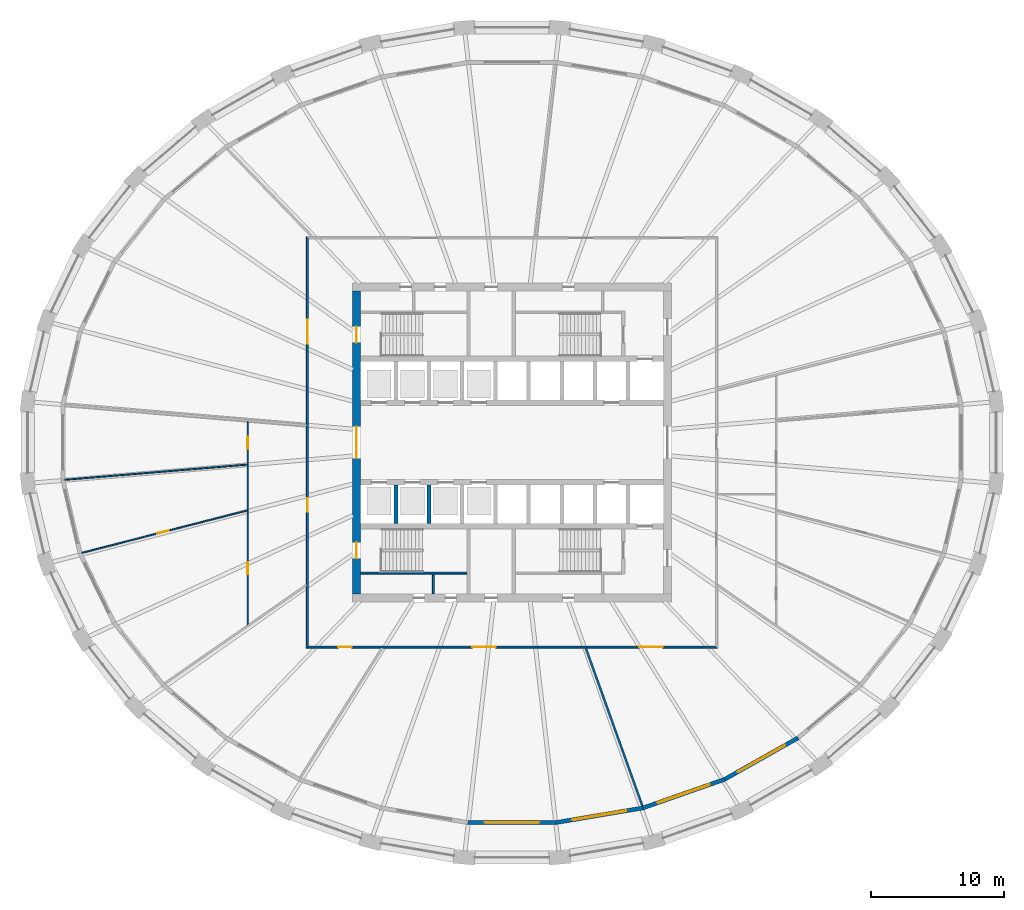
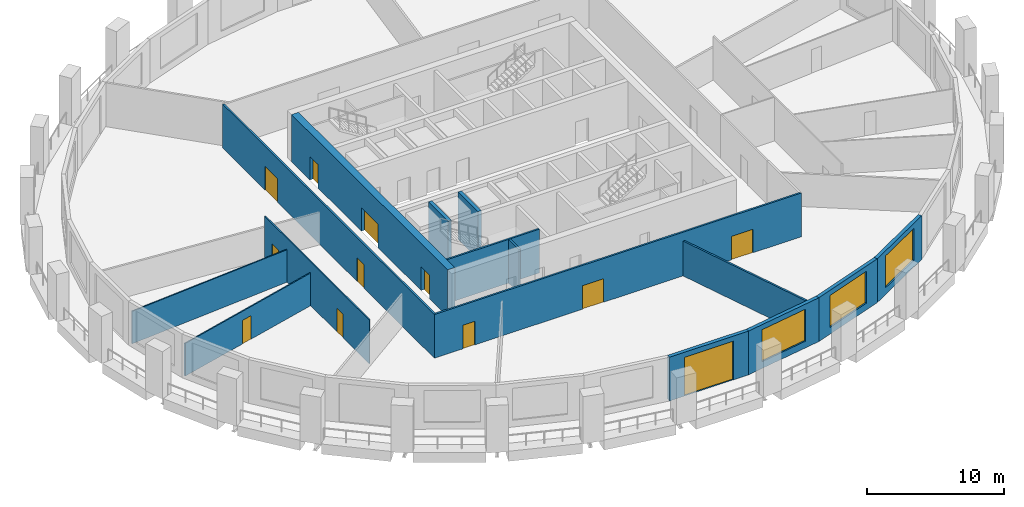
# One storey, part 3 of 11: 15 walls, 12 doors, 3 windows, 15 openings.
"""IFC4 building model written with IfcOpenShell, lengths in metres."""

from ifc_helpers import new_model, si_unit, direction, frame, frame_2d, origin, place, context, subcontext, project, spatial, polyline, rectangle, outline, extrude, material, layer, layer_set, type_object, element, fill, save


model = new_model("IFC4")

# Units and contexts
model_context = context("Model", 3, precision=1e-05, world=origin(), true_north=direction((0.0, 1.0)))
body_context = subcontext(model_context, "Body", "Model", "MODEL_VIEW")
ifc_project = project(units=[si_unit("LENGTHUNIT", "METRE"), si_unit("AREAUNIT", "SQUARE_METRE"), si_unit("VOLUMEUNIT", "CUBIC_METRE"), si_unit("PLANEANGLEUNIT", "RADIAN"), si_unit("MASSUNIT", "GRAM", prefix="KILO")], contexts=[model_context])

# Site, building, storey
site_placement = place(None, origin())
site = spatial("IfcSite", under=ifc_project, at=site_placement, CompositionType="ELEMENT")
building_placement = place(site_placement, origin())
building = spatial("IfcBuilding", under=site, at=building_placement, Name="Halqa Exchange Tower", CompositionType="ELEMENT")
storey_placement = place(building_placement, frame((0.0, 0.0, 78.10009765625)))
storey = spatial("IfcBuildingStorey", under=building, at=storey_placement, Name="L17", CompositionType="ELEMENT", Elevation=78.10009765625)

# Wall, openings, doors
ifc_material_1 = material(Name="Fire-rated gypsum board")
ifc_layer_1 = layer(ifc_material_1, 0.14990234375)
ifc_layer_set_1 = layer_set([ifc_layer_1], Name="Fire-rated gypsum board")
wall_type_1 = type_object("IfcWallType", Name="Fire partition EI 60 150", PredefinedType="PARTITIONING", material=ifc_layer_set_1)
wall_1_placement = place(storey_placement, frame((-15.39990234375, -15.47509765625, 0.0), z_axis=(0.0, 0.0, 1.0), x_axis=(0.0, 1.0, 0.0)))
wall_1 = element("IfcWall", 1, at=wall_1_placement, inside=storey, type_object=wall_type_1, Name="L17-PWL-006", PredefinedType="PARTITIONING", context=body_context, shape_type="SweptSolid", body=[
    extrude(outline(polyline([(0.150146484375, -0.074951171875), (2.065673828125, -0.074951171875), (3.9814453125, -0.074951171875), (5.89697265625, -0.074951171875), (7.8125, -0.074951171875), (9.728271484375, -0.074951171875), (11.643798828125, -0.074951171875), (13.5595703125, -0.074951171875), (15.47509765625, -0.074951171875), (17.390625, -0.074951171875), (19.306396484375, -0.074951171875), (21.221923828125, -0.074951171875), (23.1376953125, -0.074951171875), (25.05322265625, -0.074951171875), (26.96875, -0.074951171875), (28.884521484375, -0.074951171875), (30.800048828125, -0.074951171875), (30.949951171875, 0.074951171875), (29.015625, 0.074951171875), (27.081298828125, 0.074951171875), (25.14697265625, 0.074951171875), (23.21240234375, 0.074951171875), (21.278076171875, 0.074951171875), (19.34375, 0.074951171875), (17.409423828125, 0.074951171875), (15.47509765625, 0.074951171875), (13.540771484375, 0.074951171875), (11.6064453125, 0.074951171875), (9.672119140625, 0.074951171875), (7.73779296875, 0.074951171875), (5.80322265625, 0.074951171875), (3.868896484375, 0.074951171875), (1.9345703125, 0.074951171875), (0.000244140625, 0.074951171875), (0.150146484375, -0.074951171875)])), origin(), (0.0, 0.0, 1.0), 3.89990234375),
])
opening_1_placement = place(wall_1_placement, frame((10.27490234375, 0.0, 0.0)))
opening_1 = element("IfcOpeningElement", 2, at=opening_1_placement, cuts=wall_1, Name="Opening 05-01", PredefinedType="OPENING", context=body_context, shape_type="SweptSolid", body=[
    extrude(rectangle(XDim=1.0, YDim=2.10009765625, at=frame_2d((0.5, 1.050048828125))), frame((0.0, 0.0869140625, 0.0), z_axis=(0.0, -1.0, 0.0), x_axis=(1.0, 0.0, 0.0)), (0.0, 0.0, 1.0), 0.173828125),
])
opening_2_placement = place(wall_1_placement, frame((22.9150390625, 0.0, 0.0)))
opening_2 = element("IfcOpeningElement", 3, at=opening_2_placement, cuts=wall_1, Name="Opening 05-10", PredefinedType="OPENING", context=body_context, shape_type="SweptSolid", body=[
    extrude(rectangle(XDim=1.800048828125, YDim=2.10009765625, at=frame_2d((0.89990234375, 1.050048828125))), frame((0.0, 0.0869140625, 0.0), z_axis=(0.0, -1.0, 0.0), x_axis=(1.0, 0.0, 0.0)), (0.0, 0.0, 1.0), 0.173828125),
])
ifc_material_2 = material(Name="Steel fire door leaf", Category="steel")
door_type_1 = type_object("IfcDoorType", Name="Fire door FD30S 1000 x 2100", OperationType="SINGLE_SWING_LEFT", PredefinedType="DOOR", material=ifc_material_2)
door_1_placement = place(opening_1_placement, origin())
door_1 = element("IfcDoor", 4, at=door_1_placement, inside=storey, type_object=door_type_1, Name="L17-IDR-001", OperationType="SINGLE_SWING_RIGHT", OverallHeight=2.10009765625, OverallWidth=1.0, PredefinedType="DOOR", context=body_context, shape_type="SweptSolid", body=[
    extrude(rectangle(XDim=1.0, YDim=2.10009765625, at=frame_2d((0.5, 1.050048828125))), frame((0.0, 0.02490234375, 0.0), z_axis=(0.0, -1.0, 0.0), x_axis=(1.0, 0.0, 0.0)), (0.0, 0.0, 1.0), 0.050048828125),
])
fill(opening_1, door_1)
door_type_2 = type_object("IfcDoorType", Name="Fire door FD30S double 1800 x 2100", OperationType="DOUBLE_DOOR_SINGLE_SWING", PredefinedType="DOOR", material=ifc_material_2)
door_2_placement = place(opening_2_placement, origin())
door_2 = element("IfcDoor", 5, at=door_2_placement, inside=storey, type_object=door_type_2, Name="L17-IDR-010", OperationType="DOUBLE_DOOR_SINGLE_SWING", OverallHeight=2.10009765625, OverallWidth=1.800048828125, PredefinedType="DOOR", context=body_context, shape_type="SweptSolid", body=[
    extrude(rectangle(XDim=1.800048828125, YDim=2.10009765625, at=frame_2d((0.89990234375, 1.050048828125))), frame((0.0, 0.02490234375, 0.0), z_axis=(0.0, -1.0, 0.0), x_axis=(1.0, 0.0, 0.0)), (0.0, 0.0, 1.0), 0.050048828125),
])
fill(opening_2, door_2)

wall_2_placement = place(storey_placement, frame((-15.47509765625, -15.39990234375, 0.0), z_axis=(0.0, 0.0, 1.0), x_axis=(1.0, 0.0, 0.0)))
wall_2 = element("IfcWall", 6, at=wall_2_placement, inside=storey, type_object=wall_type_1, Name="L17-PWL-007", PredefinedType="PARTITIONING", context=body_context, shape_type="SweptSolid", body=[
    extrude(outline(polyline([(0.000244140625, -0.074951171875), (1.9345703125, -0.074951171875), (3.868896484375, -0.074951171875), (5.80322265625, -0.074951171875), (7.73779296875, -0.074951171875), (9.672119140625, -0.074951171875), (11.6064453125, -0.074951171875), (13.540771484375, -0.074951171875), (15.47509765625, -0.074951171875), (17.409423828125, -0.074951171875), (19.34375, -0.074951171875), (21.278076171875, -0.074951171875), (23.21240234375, -0.074951171875), (25.14697265625, -0.074951171875), (27.081298828125, -0.074951171875), (29.015625, -0.074951171875), (30.949951171875, -0.074951171875), (30.800048828125, 0.074951171875), (28.884521484375, 0.074951171875), (26.96875, 0.074951171875), (25.05322265625, 0.074951171875), (23.1376953125, 0.074951171875), (21.221923828125, 0.074951171875), (19.306396484375, 0.074951171875), (17.390625, 0.074951171875), (15.47509765625, 0.074951171875), (13.5595703125, 0.074951171875), (11.643798828125, 0.074951171875), (9.728271484375, 0.074951171875), (7.8125, 0.074951171875), (5.89697265625, 0.074951171875), (3.9814453125, 0.074951171875), (2.065673828125, 0.074951171875), (0.150146484375, 0.074951171875), (0.000244140625, -0.074951171875)])), origin(), (0.0, 0.0, 1.0), 3.89990234375),
])
opening_3_placement = place(wall_2_placement, frame((2.405029296875, 0.0, 0.0)))
opening_3 = element("IfcOpeningElement", 7, at=opening_3_placement, cuts=wall_2, Name="Opening 05-02", PredefinedType="OPENING", context=body_context, shape_type="SweptSolid", body=[
    extrude(rectangle(XDim=1.0, YDim=2.10009765625, at=frame_2d((0.5, 1.050048828125))), frame((0.0, 0.0869140625, 0.0), z_axis=(0.0, -1.0, 0.0), x_axis=(1.0, 0.0, 0.0)), (0.0, 0.0, 1.0), 0.173828125),
])
opening_4_placement = place(wall_2_placement, frame((12.469970703125, 0.0, 0.0)))
opening_4 = element("IfcOpeningElement", 8, at=opening_4_placement, cuts=wall_2, Name="Opening 05-03", PredefinedType="OPENING", context=body_context, shape_type="SweptSolid", body=[
    extrude(rectangle(XDim=1.800048828125, YDim=2.10009765625, at=frame_2d((0.89990234375, 1.050048828125))), frame((0.0, 0.0869140625, 0.0), z_axis=(0.0, -1.0, 0.0), x_axis=(1.0, 0.0, 0.0)), (0.0, 0.0, 1.0), 0.173828125),
])
opening_5_placement = place(wall_2_placement, frame((25.0400390625, 0.0, 0.0)))
opening_5 = element("IfcOpeningElement", 9, at=opening_5_placement, cuts=wall_2, Name="Opening 05-04", PredefinedType="OPENING", context=body_context, shape_type="SweptSolid", body=[
    extrude(rectangle(XDim=1.800048828125, YDim=2.10009765625, at=frame_2d((0.89990234375, 1.050048828125))), frame((0.0, 0.0869140625, 0.0), z_axis=(0.0, -1.0, 0.0), x_axis=(1.0, 0.0, 0.0)), (0.0, 0.0, 1.0), 0.173828125),
])
door_3_placement = place(opening_3_placement, frame((1.0, 0.0, 0.0), z_axis=(0.0, 0.0, 1.0), x_axis=(-1.0, 0.0, 0.0)))
door_3 = element("IfcDoor", 10, at=door_3_placement, inside=storey, type_object=door_type_1, Name="L17-IDR-002", OperationType="SINGLE_SWING_RIGHT", OverallHeight=2.10009765625, OverallWidth=1.0, PredefinedType="DOOR", context=body_context, shape_type="SweptSolid", body=[
    extrude(rectangle(XDim=1.0, YDim=2.10009765625, at=frame_2d((0.5, 1.050048828125))), frame((0.0, 0.02490234375, 0.0), z_axis=(0.0, -1.0, 0.0), x_axis=(1.0, 0.0, 0.0)), (0.0, 0.0, 1.0), 0.050048828125),
])
fill(opening_3, door_3)
door_4_placement = place(opening_4_placement, frame((1.800048828125, 0.0, 0.0), z_axis=(0.0, 0.0, 1.0), x_axis=(-1.0, 0.0, 0.0)))
door_4 = element("IfcDoor", 11, at=door_4_placement, inside=storey, type_object=door_type_2, Name="L17-IDR-003", OperationType="DOUBLE_DOOR_SINGLE_SWING", OverallHeight=2.10009765625, OverallWidth=1.800048828125, PredefinedType="DOOR", context=body_context, shape_type="SweptSolid", body=[
    extrude(rectangle(XDim=1.800048828125, YDim=2.10009765625, at=frame_2d((0.89990234375, 1.050048828125))), frame((0.0, 0.02490234375, 0.0), z_axis=(0.0, -1.0, 0.0), x_axis=(1.0, 0.0, 0.0)), (0.0, 0.0, 1.0), 0.050048828125),
])
fill(opening_4, door_4)
door_5_placement = place(opening_5_placement, frame((1.800048828125, 0.0, 0.0), z_axis=(0.0, 0.0, 1.0), x_axis=(-1.0, 0.0, 0.0)))
door_5 = element("IfcDoor", 12, at=door_5_placement, inside=storey, type_object=door_type_2, Name="L17-IDR-004", OperationType="DOUBLE_DOOR_SINGLE_SWING", OverallHeight=2.10009765625, OverallWidth=1.800048828125, PredefinedType="DOOR", context=body_context, shape_type="SweptSolid", body=[
    extrude(rectangle(XDim=1.800048828125, YDim=2.10009765625, at=frame_2d((0.89990234375, 1.050048828125))), frame((0.0, 0.02490234375, 0.0), z_axis=(0.0, -1.0, 0.0), x_axis=(1.0, 0.0, 0.0)), (0.0, 0.0, 1.0), 0.050048828125),
])
fill(opening_5, door_5)

# Wall
wall_3_placement = place(storey_placement, frame((5.5478515625, -15.449951171875, 0.0), z_axis=(0.0, 0.0, 1.0), x_axis=(0.337357475529, -0.941376616294, 0.0)))
element("IfcWall", 13, at=wall_3_placement, inside=storey, type_object=wall_type_1, Name="L17-PWL-012", PredefinedType="PARTITIONING", context=body_context, shape_type="SweptSolid", body=[
    extrude(outline(polyline([(0.0, -0.074951171875), (1.806640625, -0.074951171875), (3.61328125, -0.074951171875), (5.419921875, -0.074951171875), (7.226318359375, -0.074951171875), (9.032958984375, -0.074951171875), (10.839599609375, -0.074951171875), (12.646240234375, -0.074951171875), (12.66015625, 0.002197265625), (12.66015625, 0.018310546875), (12.66015625, 0.074951171875), (10.859130859375, 0.074951171875), (9.058349609375, 0.074951171875), (7.25732421875, 0.074951171875), (5.456298828125, 0.074951171875), (3.6552734375, 0.074951171875), (1.8544921875, 0.074951171875), (0.053466796875, 0.074951171875), (0.0, -0.07421875), (0.0, -0.074951171875)])), origin(), (0.0, 0.0, 1.0), 3.10986328125),
])

# Wall, openings, doors
ifc_material_3 = material(Name="Gypsum board")
ifc_layer_2 = layer(ifc_material_3, 0.10009765625)
ifc_layer_set_2 = layer_set([ifc_layer_2], Name="Gypsum board")
wall_type_2 = type_object("IfcWallType", Name="Partition 100 gypsum", PredefinedType="PARTITIONING", material=ifc_layer_set_2)
wall_4_placement = place(storey_placement, frame((-19.89990234375, -13.744384765625, 0.0), z_axis=(0.0, 0.0, 1.0), x_axis=(0.0, 1.0, 0.0)))
wall_4 = element("IfcWall", 14, at=wall_4_placement, inside=storey, type_object=wall_type_2, Name="L17-PWL-003", PredefinedType="PARTITIONING", context=body_context, shape_type="SweptSolid", body=[
    extrude(outline(polyline([(0.069091796875, -0.050048828125), (1.9755859375, -0.050048828125), (3.882080078125, -0.050048828125), (5.788330078125, -0.050048828125), (7.69482421875, -0.050048828125), (9.601318359375, -0.050048828125), (11.5078125, -0.050048828125), (13.4140625, -0.050048828125), (15.320556640625, -0.050048828125), (15.328857421875, 0.04931640625), (15.328857421875, 0.050048828125), (13.6435546875, 0.050048828125), (11.958251953125, 0.050048828125), (10.27294921875, 0.050048828125), (8.587646484375, 0.050048828125), (8.580322265625, 0.048095703125), (8.579833984375, 0.050048828125), (6.864013671875, 0.050048828125), (5.14794921875, 0.050048828125), (3.431884765625, 0.050048828125), (1.716064453125, 0.050048828125), (0.0, 0.050048828125), (0.0, 0.049560546875), (0.069091796875, -0.050048828125)])), origin(), (0.0, 0.0, 1.0), 3.89990234375),
])
opening_6_placement = place(wall_4_placement, frame((3.844482421875, 0.0, 0.0)))
opening_6 = element("IfcOpeningElement", 15, at=opening_6_placement, cuts=wall_4, Name="Opening 05-11", PredefinedType="OPENING", context=body_context, shape_type="SweptSolid", body=[
    extrude(rectangle(XDim=0.89990234375, YDim=2.10009765625, at=frame_2d((0.449951171875, 1.050048828125))), frame((0.0, 0.06201171875, 0.0), z_axis=(0.0, -1.0, 0.0), x_axis=(1.0, 0.0, 0.0)), (0.0, 0.0, 1.0), 0.1240234375),
])
opening_7_placement = place(wall_4_placement, frame((13.29443359375, 0.0, 0.0)))
opening_7 = element("IfcOpeningElement", 16, at=opening_7_placement, cuts=wall_4, Name="Opening 05-12", PredefinedType="OPENING", context=body_context, shape_type="SweptSolid", body=[
    extrude(rectangle(XDim=0.89990234375, YDim=2.10009765625, at=frame_2d((0.449951171875, 1.050048828125))), frame((0.0, 0.06201171875, 0.0), z_axis=(0.0, -1.0, 0.0), x_axis=(1.0, 0.0, 0.0)), (0.0, 0.0, 1.0), 0.1240234375),
])
ifc_material_4 = material(Name="Timber door leaf", Category="wood")
door_type_3 = type_object("IfcDoorType", Name="Door 900 x 2100", OperationType="SINGLE_SWING_LEFT", PredefinedType="DOOR", material=ifc_material_4)
door_6_placement = place(opening_6_placement, frame((0.89990234375, 0.0, 0.0), z_axis=(0.0, 0.0, 1.0), x_axis=(-1.0, 0.0, 0.0)))
door_6 = element("IfcDoor", 17, at=door_6_placement, inside=storey, type_object=door_type_3, Name="L17-IDR-011", OperationType="SINGLE_SWING_LEFT", OverallHeight=2.10009765625, OverallWidth=0.89990234375, PredefinedType="DOOR", context=body_context, shape_type="SweptSolid", body=[
    extrude(rectangle(XDim=0.89990234375, YDim=2.10009765625, at=frame_2d((0.449951171875, 1.050048828125))), frame((0.0, 0.02490234375, 0.0), z_axis=(0.0, -1.0, 0.0), x_axis=(1.0, 0.0, 0.0)), (0.0, 0.0, 1.0), 0.050048828125),
])
fill(opening_6, door_6)
door_7_placement = place(opening_7_placement, frame((0.89990234375, 0.0, 0.0), z_axis=(0.0, 0.0, 1.0), x_axis=(-1.0, 0.0, 0.0)))
door_7 = element("IfcDoor", 18, at=door_7_placement, inside=storey, type_object=door_type_3, Name="L17-IDR-012", OperationType="SINGLE_SWING_RIGHT", OverallHeight=2.10009765625, OverallWidth=0.89990234375, PredefinedType="DOOR", context=body_context, shape_type="SweptSolid", body=[
    extrude(rectangle(XDim=0.89990234375, YDim=2.10009765625, at=frame_2d((0.449951171875, 1.050048828125))), frame((0.0, 0.02490234375, 0.0), z_axis=(0.0, -1.0, 0.0), x_axis=(1.0, 0.0, 0.0)), (0.0, 0.0, 1.0), 0.050048828125),
])
fill(opening_7, door_7)

# Wall, opening, door
wall_5_placement = place(storey_placement, frame((-19.937744140625, -5.109619140625, 0.0), z_axis=(0.0, 0.0, 1.0), x_axis=(-0.96855855203, -0.248785713594, 0.0)))
wall_5 = element("IfcWall", 19, at=wall_5_placement, inside=storey, type_object=wall_type_2, Name="L17-PWL-004", PredefinedType="PARTITIONING", context=body_context, shape_type="SweptSolid", body=[
    extrude(outline(polyline([(12.838623046875, -0.050048828125), (12.838623046875, 0.0048828125), (12.829345703125, 0.050048828125), (11.000244140625, 0.050048828125), (9.171142578125, 0.050048828125), (7.342041015625, 0.050048828125), (5.512939453125, 0.050048828125), (3.683837890625, 0.050048828125), (1.854736328125, 0.050048828125), (0.025390625, 0.050048828125), (0.0, -0.04931640625), (0.0, -0.050048828125), (1.833984375, -0.050048828125), (3.668212890625, -0.050048828125), (5.502197265625, -0.050048828125), (7.33642578125, -0.050048828125), (9.17041015625, -0.050048828125), (11.004638671875, -0.050048828125), (12.838623046875, -0.050048828125)])), origin(), (0.0, 0.0, 1.0), 2.909912109375),
])
opening_8_placement = place(wall_5_placement, frame((6.103271484375, 0.0, 0.0)))
opening_8 = element("IfcOpeningElement", 20, at=opening_8_placement, cuts=wall_5, Name="Opening 05-13", PredefinedType="OPENING", context=body_context, shape_type="SweptSolid", body=[
    extrude(rectangle(XDim=0.89990234375, YDim=2.10009765625, at=frame_2d((0.449951171875, 1.050048828125))), frame((0.0, 0.06201171875, 0.0), z_axis=(0.0, -1.0, 0.0), x_axis=(1.0, 0.0, 0.0)), (0.0, 0.0, 1.0), 0.1240234375),
])
door_8_placement = place(opening_8_placement, frame((0.89990234375, 0.0, 0.0), z_axis=(0.0, 0.0, 1.0), x_axis=(-1.0, 0.0, 0.0)))
door_8 = element("IfcDoor", 21, at=door_8_placement, inside=storey, type_object=door_type_3, Name="L17-IDR-013", OperationType="SINGLE_SWING_RIGHT", OverallHeight=2.10009765625, OverallWidth=0.89990234375, PredefinedType="DOOR", context=body_context, shape_type="SweptSolid", body=[
    extrude(rectangle(XDim=0.89990234375, YDim=2.10009765625, at=frame_2d((0.449951171875, 1.050048828125))), frame((0.0, 0.02490234375, 0.0), z_axis=(0.0, -1.0, 0.0), x_axis=(1.0, 0.0, 0.0)), (0.0, 0.0, 1.0), 0.050048828125),
])
fill(opening_8, door_8)

# Walls
wall_6_placement = place(storey_placement, frame((-19.9462890625, -1.663818359375, 0.0), z_axis=(0.0, 0.0, 1.0), x_axis=(-0.996559566172, -0.082879617945, 0.0)))
element("IfcWall", 22, at=wall_6_placement, inside=storey, type_object=wall_type_2, Name="L17-PWL-005", PredefinedType="PARTITIONING", context=body_context, shape_type="SweptSolid", body=[
    extrude(outline(polyline([(13.765380859375, -0.050048828125), (13.765380859375, 0.0263671875), (13.761962890625, 0.050048828125), (11.797119140625, 0.050048828125), (9.83203125, 0.050048828125), (7.8671875, 0.050048828125), (5.90234375, 0.050048828125), (3.9375, 0.050048828125), (1.97265625, 0.050048828125), (0.0078125, 0.050048828125), (0.0, -0.044677734375), (0.0, -0.050048828125), (1.966552734375, -0.050048828125), (3.932861328125, -0.050048828125), (5.8994140625, -0.050048828125), (7.865966796875, -0.050048828125), (9.83251953125, -0.050048828125), (11.798828125, -0.050048828125), (13.765380859375, -0.050048828125)])), origin(), (0.0, 0.0, 1.0), 2.891845703125),
])
ifc_layer_3 = layer(ifc_material_3, 0.14990234375)
ifc_layer_set_3 = layer_set([ifc_layer_3], Name="Gypsum board")
wall_type_3 = type_object("IfcWallType", Name="Penthouse riser wall 150 gypsum", PredefinedType="PARTITIONING", material=ifc_layer_set_3)
wall_7_placement = place(storey_placement, frame((-5.925048828125, -11.39990234375, 0.0), z_axis=(0.0, 0.0, 1.0), x_axis=(0.0, 1.0, 0.0)))
element("IfcWall", 23, at=wall_7_placement, inside=storey, type_object=wall_type_3, Name="Partition W5.925 S", PredefinedType="PARTITIONING", context=body_context, shape_type="SweptSolid", body=[
    extrude(rectangle(XDim=1.5, YDim=0.14990234375, at=frame_2d((0.75, 0.0))), origin(), (0.0, 0.0, 1.0), 3.89990234375),
])
ifc_material_5 = material(Name="Concrete C60/75", Category="concrete")
ifc_layer_4 = layer(ifc_material_5, 0.300048828125)
ifc_layer_set_4 = layer_set([ifc_layer_4], Name="Concrete C60/75")
wall_type_4 = type_object("IfcWallType", Name="RC core wall 300", PredefinedType="SHEAR", material=ifc_layer_set_4)
for number, where, z_axis, x_axis, name in (
    (24, (-8.75, -6.10009765625, 0.0), (0.0, 0.0, 1.0), (0.0, 1.0, 0.0), "Shaft divider S1"),
    (25, (-6.25, -6.10009765625, 0.0), (0.0, 0.0, 1.0), (0.0, 1.0, 0.0), "Shaft divider S2"),
):
    element("IfcWall", number, at=place(storey_placement, frame(where, z_axis=z_axis, x_axis=x_axis)), inside=storey, type_object=wall_type_4, Name=name, PredefinedType="SHEAR", context=body_context, shape_type="SweptSolid", body=[
        extrude(rectangle(XDim=2.900146484375, YDim=0.300048828125, at=frame_2d((1.4501953125, 0.0))), origin(), (0.0, 0.0, 1.0), 4.199951171875),
    ])

# Wall, openings, doors
ifc_material_6 = material(Name="Concrete C80/95", Category="concrete")
ifc_layer_5 = layer(ifc_material_6, 0.60009765625)
ifc_layer_set_5 = layer_set([ifc_layer_5], Name="Concrete C80/95")
wall_type_5 = type_object("IfcWallType", Name="RC core wall 600 C80/95", PredefinedType="SHEAR", material=ifc_layer_set_5)
wall_8_placement = place(storey_placement, frame((-11.699951171875, -11.39990234375, 0.0), z_axis=(0.0, 0.0, 1.0), x_axis=(0.0, 1.0, 0.0)))
wall_8 = element("IfcWall", 26, at=wall_8_placement, inside=storey, type_object=wall_type_5, Name="Core wall west", PredefinedType="SHEAR", context=body_context, shape_type="SweptSolid", body=[
    extrude(rectangle(XDim=22.7998046875, YDim=0.60009765625, at=frame_2d((11.39990234375, 0.0))), origin(), (0.0, 0.0, 1.0), 4.199951171875),
])
opening_9_placement = place(wall_8_placement, frame((10.199951171875, 0.0, 0.0)))
opening_9 = element("IfcOpeningElement", 27, at=opening_9_placement, cuts=wall_8, Name="Opening T05-C13", PredefinedType="OPENING", context=body_context, shape_type="SweptSolid", body=[
    extrude(rectangle(XDim=2.39990234375, YDim=2.10009765625, at=frame_2d((1.199951171875, 1.050048828125))), frame((0.0, 0.31201171875, 0.0), z_axis=(0.0, -1.0, 0.0), x_axis=(1.0, 0.0, 0.0)), (0.0, 0.0, 1.0), 0.6240234375),
])
opening_10_placement = place(wall_8_placement, frame((18.925048828125, 0.0, 0.0)))
opening_10 = element("IfcOpeningElement", 28, at=opening_10_placement, cuts=wall_8, Name="Opening T05-C15", PredefinedType="OPENING", context=body_context, shape_type="SweptSolid", body=[
    extrude(rectangle(XDim=1.199951171875, YDim=2.10009765625, at=frame_2d((0.60009765625, 1.050048828125))), frame((0.0, 0.31201171875, 0.0), z_axis=(0.0, -1.0, 0.0), x_axis=(1.0, 0.0, 0.0)), (0.0, 0.0, 1.0), 0.6240234375),
])
opening_11_placement = place(wall_8_placement, frame((2.675048828125, 0.0, 0.0)))
opening_11 = element("IfcOpeningElement", 29, at=opening_11_placement, cuts=wall_8, Name="Opening T05-C17", PredefinedType="OPENING", context=body_context, shape_type="SweptSolid", body=[
    extrude(rectangle(XDim=1.199951171875, YDim=2.10009765625, at=frame_2d((0.60009765625, 1.050048828125))), frame((0.0, 0.31201171875, 0.0), z_axis=(0.0, -1.0, 0.0), x_axis=(1.0, 0.0, 0.0)), (0.0, 0.0, 1.0), 0.6240234375),
])
door_type_4 = type_object("IfcDoorType", Name="Lobby double door FD60 2400 x 2100", OperationType="DOUBLE_DOOR_SINGLE_SWING", PredefinedType="DOOR", material=ifc_material_2)
door_9_placement = place(opening_9_placement, frame((2.39990234375, 0.0, 0.0), z_axis=(0.0, 0.0, 1.0), x_axis=(-1.0, 0.0, 0.0)))
door_9 = element("IfcDoor", 30, at=door_9_placement, inside=storey, type_object=door_type_4, Name="Lift lobby double door", OperationType="DOUBLE_DOOR_SINGLE_SWING", OverallHeight=2.10009765625, OverallWidth=2.39990234375, PredefinedType="DOOR", context=body_context, shape_type="SweptSolid", body=[
    extrude(rectangle(XDim=2.39990234375, YDim=2.10009765625, at=frame_2d((1.199951171875, 1.050048828125))), frame((0.0, 0.02490234375, 0.0), z_axis=(0.0, -1.0, 0.0), x_axis=(1.0, 0.0, 0.0)), (0.0, 0.0, 1.0), 0.050048828125),
])
fill(opening_9, door_9)
door_type_5 = type_object("IfcDoorType", Name="Stair door FD90 1200 x 2100", OperationType="SINGLE_SWING_LEFT", PredefinedType="DOOR", material=ifc_material_2)
door_10_placement = place(opening_10_placement, frame((1.199951171875, 0.0, 0.0), z_axis=(0.0, 0.0, 1.0), x_axis=(-1.0, 0.0, 0.0)))
door_10 = element("IfcDoor", 31, at=door_10_placement, inside=storey, type_object=door_type_5, Name="Stair door ST1", OperationType="SINGLE_SWING_LEFT", OverallHeight=2.10009765625, OverallWidth=1.199951171875, PredefinedType="DOOR", context=body_context, shape_type="SweptSolid", body=[
    extrude(rectangle(XDim=1.199951171875, YDim=2.10009765625, at=frame_2d((0.60009765625, 1.050048828125))), frame((0.0, 0.02490234375, 0.0), z_axis=(0.0, -1.0, 0.0), x_axis=(1.0, 0.0, 0.0)), (0.0, 0.0, 1.0), 0.050048828125),
])
fill(opening_10, door_10)
door_11_placement = place(opening_11_placement, frame((1.199951171875, 0.0, 0.0), z_axis=(0.0, 0.0, 1.0), x_axis=(-1.0, 0.0, 0.0)))
door_11 = element("IfcDoor", 32, at=door_11_placement, inside=storey, type_object=door_type_5, Name="Stair door ST3", OperationType="SINGLE_SWING_LEFT", OverallHeight=2.10009765625, OverallWidth=1.199951171875, PredefinedType="DOOR", context=body_context, shape_type="SweptSolid", body=[
    extrude(rectangle(XDim=1.199951171875, YDim=2.10009765625, at=frame_2d((0.60009765625, 1.050048828125))), frame((0.0, 0.02490234375, 0.0), z_axis=(0.0, -1.0, 0.0), x_axis=(1.0, 0.0, 0.0)), (0.0, 0.0, 1.0), 0.050048828125),
])
fill(opening_11, door_11)

# Wall
ifc_material_7 = material(Name="Concrete C30/37", Category="concrete")
ifc_layer_6 = layer(ifc_material_7, 0.14990234375)
ifc_layer_set_6 = layer_set([ifc_layer_6], Name="Concrete C30/37")
wall_type_6 = type_object("IfcWallType", Name="RC stair wall 150 C30/37", PredefinedType="SHEAR", material=ifc_layer_set_6)
wall_9_placement = place(storey_placement, frame((-11.39990234375, -9.824951171875, 0.0), z_axis=(0.0, 0.0, 1.0), x_axis=(1.0, 0.0, 0.0)))
element("IfcWall", 33, at=wall_9_placement, inside=storey, type_object=wall_type_6, Name="Stair ST1 north wall S", PredefinedType="SHEAR", context=body_context, shape_type="SweptSolid", body=[
    extrude(rectangle(XDim=8.0, YDim=0.14990234375, at=frame_2d((4.0, 0.0))), origin(), (0.0, 0.0, 1.0), 3.89990234375),
])

# Wall, opening, door
ifc_material_8 = material(Name="Limestone cladding", Category="masonry")
ifc_layer_7 = layer(ifc_material_8, 0.0400390625)
ifc_material_9 = material(Name="Ventilated cavity")
ifc_layer_8 = layer(ifc_material_9, 0.030029296875, ventilated=True)
ifc_material_10 = material(Name="Mineral wool insulation")
ifc_layer_9 = layer(ifc_material_10, 0.10009765625)
ifc_layer_10 = layer(ifc_material_7, 0.10009765625)
ifc_material_11 = material(Name="Internal plaster")
ifc_layer_11 = layer(ifc_material_11, 0.030029296875)
ifc_layer_set_7 = layer_set([ifc_layer_7, ifc_layer_8, ifc_layer_9, ifc_layer_10, ifc_layer_11], Name="Stone-faced insulated wall 300")
wall_type_7 = type_object("IfcWallType", Name="Stone-faced insulated wall 300", PredefinedType="STANDARD", material=ifc_layer_set_7)
wall_10_placement = place(storey_placement, frame((-3.32861328125, -28.61083984375, 0.0), z_axis=(0.0, 0.0, 1.0), x_axis=(1.0, 0.0, 0.0)))
wall_10 = element("IfcWall", 34, at=wall_10_placement, inside=storey, type_object=wall_type_7, Name="Glass-line wall 24", PredefinedType="STANDARD", context=body_context, shape_type="SweptSolid", body=[
    extrude(outline(polyline([(-0.012451171875, -0.14990234375), (6.669677734375, -0.14990234375), (6.644775390625, 0.14990234375), (0.012451171875, 0.14990234375), (-0.012451171875, -0.14990234375)])), origin(), (0.0, 0.0, 1.0), 3.89990234375),
])
opening_12_placement = place(wall_10_placement, frame((1.278564453125, 0.0, 0.0)))
opening_12 = element("IfcOpeningElement", 35, at=opening_12_placement, cuts=wall_10, Name="Opening LG-F1-06", PredefinedType="OPENING", context=body_context, shape_type="SweptSolid", body=[
    extrude(rectangle(XDim=4.10009765625, YDim=3.449951171875, at=frame_2d((2.050048828125, 1.72509765625))), frame((0.0, 0.162109375, 0.0), z_axis=(0.0, -1.0, 0.0), x_axis=(1.0, 0.0, 0.0)), (0.0, 0.0, 1.0), 0.323974609375),
])
ifc_material_12 = material(Name="Clear low-emissivity glass in aluminium frame", Category="aluminium")
door_type_6 = type_object("IfcDoorType", Name="Glazed sliding loggia door 4100 x 3450", OperationType="DOUBLE_DOOR_SLIDING", PredefinedType="DOOR", material=ifc_material_12)
door_12_placement = place(opening_12_placement, origin())
door_12 = element("IfcDoor", 36, at=door_12_placement, inside=storey, type_object=door_type_6, Name="Loggia door 6", OperationType="DOUBLE_DOOR_SLIDING", OverallHeight=3.449951171875, OverallWidth=4.10009765625, PredefinedType="DOOR", context=body_context, shape_type="SweptSolid", body=[
    extrude(rectangle(XDim=4.10009765625, YDim=3.449951171875, at=frame_2d((2.050048828125, 1.72509765625))), frame((0.0, 0.02490234375, 0.0), z_axis=(0.0, -1.0, 0.0), x_axis=(1.0, 0.0, 0.0)), (0.0, 0.0, 1.0), 0.050048828125),
])
fill(opening_12, door_12)

# Wall, opening, window
wall_11_placement = place(storey_placement, frame((3.32861328125, -28.61083984375, 0.0), z_axis=(0.0, 0.0, 1.0), x_axis=(0.986157735925, 0.165809890767, 0.0)))
wall_11 = element("IfcWall", 37, at=wall_11_placement, inside=storey, type_object=wall_type_7, Name="Glass-line wall 25", PredefinedType="STANDARD", context=body_context, shape_type="SweptSolid", body=[
    extrude(outline(polyline([(-0.012451171875, -0.14990234375), (6.634033203125, -0.14990234375), (6.608642578125, 0.14990234375), (0.012451171875, 0.14990234375), (-0.012451171875, -0.14990234375)])), origin(), (0.0, 0.0, 1.0), 3.89990234375),
])
opening_13_placement = place(wall_11_placement, frame((1.2607421875, 0.0, 0.60009765625)))
opening_13 = element("IfcOpeningElement", 38, at=opening_13_placement, cuts=wall_11, Name="Opening W-F1-25", PredefinedType="OPENING", context=body_context, shape_type="SweptSolid", body=[
    extrude(rectangle(XDim=4.10009765625, YDim=2.85009765625, at=frame_2d((2.050048828125, 1.425048828125))), frame((0.0, 0.162109375, 0.0), z_axis=(0.0, -1.0, 0.0), x_axis=(1.0, 0.0, 0.0)), (0.0, 0.0, 1.0), 0.323974609375),
])
window_type = type_object("IfcWindowType", Name="Fixed clear glazed window 4100 x 2850", PartitioningType="TRIPLE_PANEL_VERTICAL", PredefinedType="WINDOW", material=ifc_material_12)
window_1_placement = place(opening_13_placement, origin())
window_1 = element("IfcWindow", 39, at=window_1_placement, inside=storey, type_object=window_type, Name="Window 1", OverallHeight=2.85009765625, OverallWidth=4.10009765625, PartitioningType="TRIPLE_PANEL_VERTICAL", PredefinedType="WINDOW", context=body_context, shape_type="SweptSolid", body=[
    extrude(rectangle(XDim=4.10009765625, YDim=2.85009765625, at=frame_2d((2.050048828125, 1.425048828125))), frame((0.0, 0.030029296875, 0.0), z_axis=(0.0, -1.0, 0.0), x_axis=(1.0, 0.0, 0.0)), (0.0, 0.0, 1.0), 0.06005859375),
])
fill(opening_13, window_1)

wall_12_placement = place(storey_placement, frame((9.8583984375, -27.512939453125, 0.0), z_axis=(0.0, 0.0, 1.0), x_axis=(0.943815136299, 0.330473884736, 0.0)))
wall_12 = element("IfcWall", 40, at=wall_12_placement, inside=storey, type_object=wall_type_7, Name="Glass-line wall 26", PredefinedType="STANDARD", context=body_context, shape_type="SweptSolid", body=[
    extrude(outline(polyline([(-0.0126953125, -0.14990234375), (6.531494140625, -0.14990234375), (6.504638671875, 0.14990234375), (0.0126953125, 0.14990234375), (-0.0126953125, -0.14990234375)])), origin(), (0.0, 0.0, 1.0), 3.89990234375),
])
opening_14_placement = place(wall_12_placement, frame((1.208984375, 0.0, 0.60009765625)))
opening_14 = element("IfcOpeningElement", 41, at=opening_14_placement, cuts=wall_12, Name="Opening W-F1-26", PredefinedType="OPENING", context=body_context, shape_type="SweptSolid", body=[
    extrude(rectangle(XDim=4.10009765625, YDim=2.85009765625, at=frame_2d((2.050048828125, 1.425048828125))), frame((0.0, 0.162109375, 0.0), z_axis=(0.0, -1.0, 0.0), x_axis=(1.0, 0.0, 0.0)), (0.0, 0.0, 1.0), 0.323974609375),
])
window_2_placement = place(opening_14_placement, origin())
window_2 = element("IfcWindow", 42, at=window_2_placement, inside=storey, type_object=window_type, Name="Window 1", OverallHeight=2.85009765625, OverallWidth=4.10009765625, PartitioningType="TRIPLE_PANEL_VERTICAL", PredefinedType="WINDOW", context=body_context, shape_type="SweptSolid", body=[
    extrude(rectangle(XDim=4.10009765625, YDim=2.85009765625, at=frame_2d((2.050048828125, 1.425048828125))), frame((0.0, 0.030029296875, 0.0), z_axis=(0.0, -1.0, 0.0), x_axis=(1.0, 0.0, 0.0)), (0.0, 0.0, 1.0), 0.06005859375),
])
fill(opening_14, window_2)

wall_13_placement = place(storey_placement, frame((16.01025390625, -25.35888671875, 0.0), z_axis=(0.0, 0.0, 1.0), x_axis=(0.870710061474, 0.491796694629, 0.0)))
wall_13 = element("IfcWall", 43, at=wall_13_placement, inside=storey, type_object=wall_type_7, Name="Glass-line wall 27", PredefinedType="STANDARD", context=body_context, shape_type="SweptSolid", body=[
    extrude(outline(polyline([(-0.013427734375, -0.14990234375), (6.374755859375, -0.14990234375), (6.346435546875, 0.14990234375), (0.013427734375, 0.14990234375), (-0.013427734375, -0.14990234375)])), origin(), (0.0, 0.0, 1.0), 3.89990234375),
])
opening_15_placement = place(wall_13_placement, frame((1.13037109375, 0.0, 0.60009765625)))
opening_15 = element("IfcOpeningElement", 44, at=opening_15_placement, cuts=wall_13, Name="Opening W-F1-27", PredefinedType="OPENING", context=body_context, shape_type="SweptSolid", body=[
    extrude(rectangle(XDim=4.10009765625, YDim=2.85009765625, at=frame_2d((2.050048828125, 1.425048828125))), frame((0.0, 0.162109375, 0.0), z_axis=(0.0, -1.0, 0.0), x_axis=(1.0, 0.0, 0.0)), (0.0, 0.0, 1.0), 0.323974609375),
])
window_3_placement = place(opening_15_placement, origin())
window_3 = element("IfcWindow", 45, at=window_3_placement, inside=storey, type_object=window_type, Name="Window 1", OverallHeight=2.85009765625, OverallWidth=4.10009765625, PartitioningType="TRIPLE_PANEL_VERTICAL", PredefinedType="WINDOW", context=body_context, shape_type="SweptSolid", body=[
    extrude(rectangle(XDim=4.10009765625, YDim=2.85009765625, at=frame_2d((2.050048828125, 1.425048828125))), frame((0.0, 0.030029296875, 0.0), z_axis=(0.0, -1.0, 0.0), x_axis=(1.0, 0.0, 0.0)), (0.0, 0.0, 1.0), 0.06005859375),
])
fill(opening_15, window_3)

save(model, "model.ifc")
